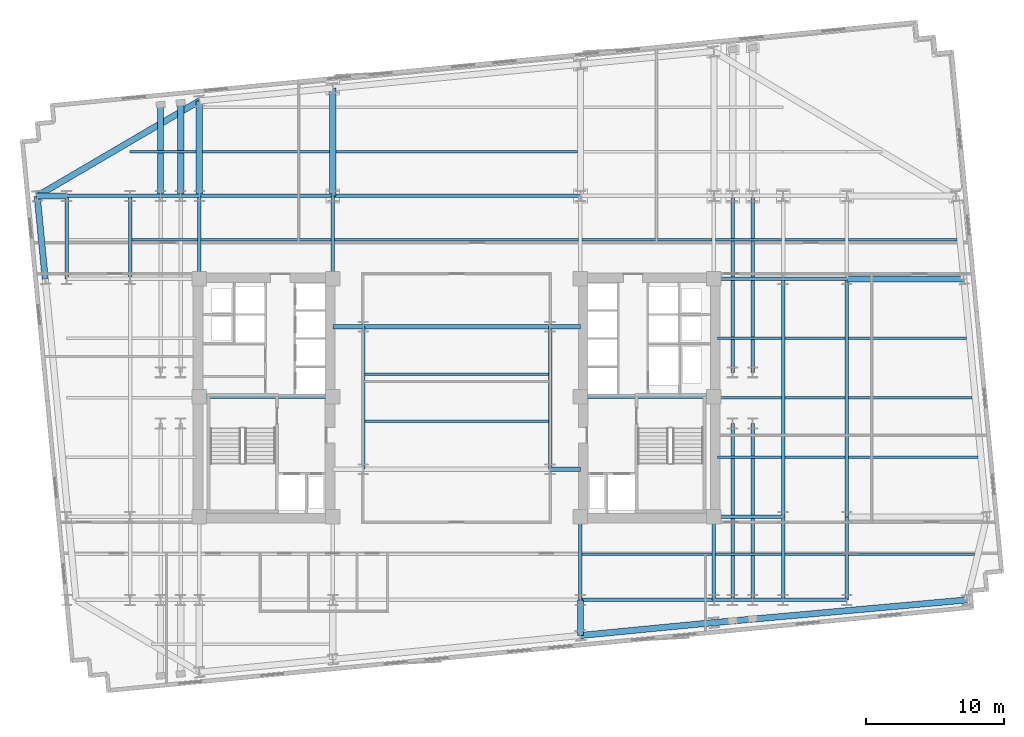
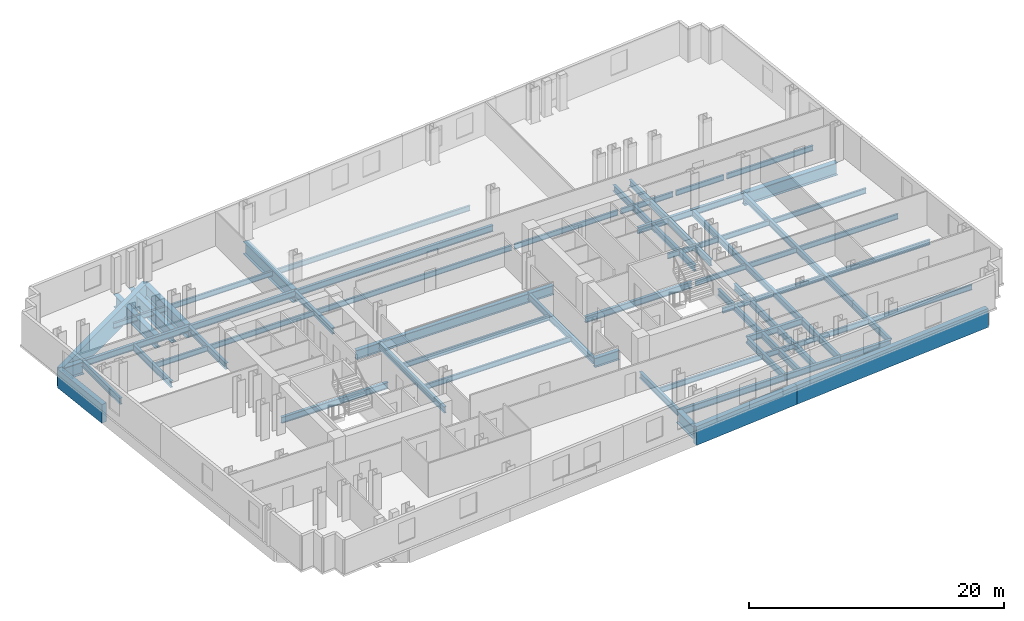
# One storey, part 2 of 10: 68 beams.
"""IFC4 building model written with IfcOpenShell, lengths in metres."""

from ifc_helpers import new_model, si_unit, direction, frame, origin, origin_2d, place, context, subcontext, project, spatial, rectangle, i_section, extrude, material, material_profile, profile_set, type_object, element, save


model = new_model("IFC4")

# Units and contexts
model_context = context("Model", 3, precision=1e-05, world=origin(), true_north=direction((0.0, 1.0)))
body_context = subcontext(model_context, "Body", "Model", "MODEL_VIEW")
ifc_project = project(units=[si_unit("LENGTHUNIT", "METRE"), si_unit("AREAUNIT", "SQUARE_METRE"), si_unit("VOLUMEUNIT", "CUBIC_METRE"), si_unit("PLANEANGLEUNIT", "RADIAN"), si_unit("MASSUNIT", "GRAM", prefix="KILO")], contexts=[model_context])

# Site, building, storey
site_placement = place(None, origin())
site = spatial("IfcSite", under=ifc_project, at=site_placement, CompositionType="ELEMENT")
building_placement = place(site_placement, origin())
building = spatial("IfcBuilding", under=site, at=building_placement, Name="Velakula Bourse", CompositionType="ELEMENT")
storey_placement = place(building_placement, frame((0.0, 0.0, 74.199951171875)))
storey = spatial("IfcBuildingStorey", under=building, at=storey_placement, Name="L19", CompositionType="ELEMENT", Elevation=74.199951171875)

# Beams
ifc_material_1 = material(Name="Steel IS 2062 Grade 350 (E350)", Category="steel")
ifc_material_profile_1 = material_profile(ifc_material_1, i_section(OverallWidth=0.25, OverallDepth=0.60009765625, WebThickness=0.01171875, FlangeThickness=0.023681640625, at=origin_2d()), Name="Steel IS 2062 Grade 350 (E350)")
ifc_profile_set_1 = profile_set([ifc_material_profile_1], Name="Steel IS 2062 Grade 350 (E350)")
beam_type_1 = type_object("IfcBeamType", Name="BM-GRD-600H", PredefinedType="BEAM", material=ifc_profile_set_1)
for number, where, z_axis, x_axis, name in (
    (1, (-18.60009765625, 0.10009765625, -0.47998046875), (1.0, 0.0, 0.0), (0.0, 1.0, 0.0), "L19 Primary Backbone Girder CRW-M"),
    (2, (8.949951171875, 0.10009765625, -0.47998046875), (1.0, 0.0, 0.0), (0.0, 1.0, 0.0), "L19 Primary Backbone Girder CRE-M"),
):
    element("IfcBeam", number, at=place(storey_placement, frame(where, z_axis=z_axis, x_axis=x_axis)), inside=storey, type_object=beam_type_1, Name=name, PredefinedType="BEAM", context=body_context, shape_type="SweptSolid", body=[
        extrude(i_section(OverallWidth=0.25, OverallDepth=0.60009765625, WebThickness=0.01171875, FlangeThickness=0.023681640625, at=origin_2d()), origin(), (0.0, 0.0, 1.0), 9.650146484375),
    ])
for number, where, z_axis, x_axis, name in (
    (3, (-6.75, -5.14990234375, -0.47998046875), (0.0, 1.0, 0.0), (-1.0, 0.0, 0.0), "L19 Primary Backbone Girder SPN-W"),
    (4, (6.75, -5.14990234375, -0.47998046875), (0.0, 1.0, 0.0), (-1.0, 0.0, 0.0), "L19 Primary Backbone Girder SPN-E"),
):
    element("IfcBeam", number, at=place(storey_placement, frame(where, z_axis=z_axis, x_axis=x_axis)), inside=storey, type_object=beam_type_1, Name=name, PredefinedType="BEAM", context=body_context, shape_type="SweptSolid", body=[
        extrude(i_section(OverallWidth=0.25, OverallDepth=0.60009765625, WebThickness=0.01171875, FlangeThickness=0.023681640625, at=origin_2d()), origin(), (0.0, 0.0, 1.0), 10.2998046875),
    ])
for number, where, z_axis, x_axis, name in (
    (5, (-18.60009765625, 8.60009765625, -0.47998046875), (0.0, 1.0, 0.0), (-1.0, 0.0, 0.0), "L19 Fulcrum Grid Girder FLC-WN"),
    (6, (-8.949951171875, 8.60009765625, -0.47998046875), (0.0, 1.0, 0.0), (-1.0, 0.0, 0.0), "L19 Fulcrum Grid Girder FLC-WCN"),
    (7, (8.949951171875, -14.60009765625, -0.47998046875), (0.0, 1.0, 0.0), (-1.0, 0.0, 0.0), "L19 Fulcrum Grid Girder FLC-ECS"),
    (8, (18.60009765625, -14.60009765625, -0.47998046875), (0.0, 1.0, 0.0), (-1.0, 0.0, 0.0), "L19 Fulcrum Grid Girder FLC-ES"),
):
    element("IfcBeam", number, at=place(storey_placement, frame(where, z_axis=z_axis, x_axis=x_axis)), inside=storey, type_object=beam_type_1, Name=name, PredefinedType="BEAM", context=body_context, shape_type="SweptSolid", body=[
        extrude(i_section(OverallWidth=0.25, OverallDepth=0.60009765625, WebThickness=0.01171875, FlangeThickness=0.023681640625, at=origin_2d()), origin(), (0.0, 0.0, 1.0), 6.0),
    ])
for number, where, z_axis, x_axis, name in (
    (9, (8.949951171875, -14.60009765625, -0.47998046875), (1.0, 0.0, 0.0), (0.0, 1.0, 0.0), "L19 Fulcrum Grid Girder FLC-S3"),
    (10, (-18.60009765625, 14.60009765625, -0.47998046875), (1.0, 0.0, 0.0), (0.0, 1.0, 0.0), "L19 Fulcrum Grid Girder FLC-N1"),
):
    element("IfcBeam", number, at=place(storey_placement, frame(where, z_axis=z_axis, x_axis=x_axis)), inside=storey, type_object=beam_type_1, Name=name, PredefinedType="BEAM", context=body_context, shape_type="SweptSolid", body=[
        extrude(i_section(OverallWidth=0.25, OverallDepth=0.60009765625, WebThickness=0.01171875, FlangeThickness=0.023681640625, at=origin_2d()), origin(), (0.0, 0.0, 1.0), 9.650146484375),
    ])
beam_1_placement = place(storey_placement, frame((-8.949951171875, 14.60009765625, -0.47998046875), z_axis=(1.0, 0.0, 0.0), x_axis=(0.0, 1.0, 0.0)))
element("IfcBeam", 11, at=beam_1_placement, inside=storey, type_object=beam_type_1, Name="L19 Fulcrum Grid Girder FLC-N2", PredefinedType="BEAM", context=body_context, shape_type="SweptSolid", body=[
    extrude(i_section(OverallWidth=0.25, OverallDepth=0.60009765625, WebThickness=0.01171875, FlangeThickness=0.023681640625, at=origin_2d()), origin(), (0.0, 0.0, 1.0), 17.89990234375),
])
for number, where, z_axis, x_axis, name in (
    (12, (19.949951171875, -14.60009765625, -0.47998046875), (0.0, 1.0, 0.0), (-1.0, 0.0, 0.0), "L19 Fulcrum Grid Girder FLC-PSE1"),
    (13, (19.949951171875, 1.85009765625, -0.47998046875), (0.0, 1.0, 0.0), (-1.0, 0.0, 0.0), "L19 Fulcrum Grid Girder FLC-PNE1"),
    (14, (21.39990234375, -14.60009765625, -0.47998046875), (0.0, 1.0, 0.0), (-1.0, 0.0, 0.0), "L19 Fulcrum Grid Girder FLC-PSE2"),
    (15, (21.39990234375, 1.85009765625, -0.47998046875), (0.0, 1.0, 0.0), (-1.0, 0.0, 0.0), "L19 Fulcrum Grid Girder FLC-PNE2"),
):
    element("IfcBeam", number, at=place(storey_placement, frame(where, z_axis=z_axis, x_axis=x_axis)), inside=storey, type_object=beam_type_1, Name=name, PredefinedType="BEAM", context=body_context, shape_type="SweptSolid", body=[
        extrude(i_section(OverallWidth=0.25, OverallDepth=0.60009765625, WebThickness=0.01171875, FlangeThickness=0.023681640625, at=origin_2d()), origin(), (0.0, 0.0, 1.0), 12.75),
    ])
beam_2_placement = place(storey_placement, frame((-23.60009765625, 14.60009765625, -0.47998046875), z_axis=(1.0, 0.0, 0.0), x_axis=(0.0, 1.0, 0.0)))
element("IfcBeam", 16, at=beam_2_placement, inside=storey, type_object=beam_type_1, Name="L19 Fulcrum Grid Girder MWG-WN2", PredefinedType="BEAM", context=body_context, shape_type="SweptSolid", body=[
    extrude(i_section(OverallWidth=0.25, OverallDepth=0.60009765625, WebThickness=0.01171875, FlangeThickness=0.023681640625, at=origin_2d()), origin(), (0.0, 0.0, 1.0), 5.0),
])
beam_3_placement = place(storey_placement, frame((-23.60009765625, 8.60009765625, -0.47998046875), z_axis=(0.0, 1.0, 0.0), x_axis=(-1.0, 0.0, 0.0)))
element("IfcBeam", 17, at=beam_3_placement, inside=storey, type_object=beam_type_1, Name="L19 Fulcrum Grid Girder MWG-WNS3", PredefinedType="BEAM", context=body_context, shape_type="SweptSolid", body=[
    extrude(i_section(OverallWidth=0.25, OverallDepth=0.60009765625, WebThickness=0.01171875, FlangeThickness=0.023681640625, at=origin_2d()), origin(), (0.0, 0.0, 1.0), 6.0),
])
for number, where, z_axis, x_axis, name in (
    (18, (18.60009765625, -14.60009765625, -0.47998046875), (1.0, 0.0, 0.0), (0.0, 1.0, 0.0), "L19 Fulcrum Grid Girder MWG-ES1"),
    (19, (18.60009765625, -8.60009765625, -0.47998046875), (1.0, 0.0, 0.0), (0.0, 1.0, 0.0), "L19 Fulcrum Grid Girder MWG-ES2"),
    (20, (18.60009765625, 8.60009765625, -0.47998046875), (1.0, 0.0, 0.0), (0.0, 1.0, 0.0), "L19 Fulcrum Grid Girder MWG-EN1"),
):
    element("IfcBeam", number, at=place(storey_placement, frame(where, z_axis=z_axis, x_axis=x_axis)), inside=storey, type_object=beam_type_1, Name=name, PredefinedType="BEAM", context=body_context, shape_type="SweptSolid", body=[
        extrude(i_section(OverallWidth=0.25, OverallDepth=0.60009765625, WebThickness=0.01171875, FlangeThickness=0.023681640625, at=origin_2d()), origin(), (0.0, 0.0, 1.0), 5.0),
    ])
beam_4_placement = place(storey_placement, frame((23.60009765625, -14.60009765625, -0.47998046875), z_axis=(0.0, 1.0, 0.0), x_axis=(-1.0, 0.0, 0.0)))
element("IfcBeam", 21, at=beam_4_placement, inside=storey, type_object=beam_type_1, Name="L19 Fulcrum Grid Girder MWG-ENS1", PredefinedType="BEAM", context=body_context, shape_type="SweptSolid", body=[
    extrude(i_section(OverallWidth=0.25, OverallDepth=0.60009765625, WebThickness=0.01171875, FlangeThickness=0.023681640625, at=origin_2d()), origin(), (0.0, 0.0, 1.0), 6.0),
])
beam_5_placement = place(storey_placement, frame((23.60009765625, -8.60009765625, -0.47998046875), z_axis=(0.0, 1.0, 0.0), x_axis=(-1.0, 0.0, 0.0)))
element("IfcBeam", 22, at=beam_5_placement, inside=storey, type_object=beam_type_1, Name="L19 Fulcrum Grid Girder MWG-ENS2", PredefinedType="BEAM", context=body_context, shape_type="SweptSolid", body=[
    extrude(i_section(OverallWidth=0.25, OverallDepth=0.60009765625, WebThickness=0.01171875, FlangeThickness=0.023681640625, at=origin_2d()), origin(), (0.0, 0.0, 1.0), 17.2001953125),
])
beam_6_placement = place(storey_placement, frame((-28.199951171875, 14.60009765625, -0.47998046875), z_axis=(1.0, 0.0, 0.0), x_axis=(0.0, 1.0, 0.0)))
element("IfcBeam", 23, at=beam_6_placement, inside=storey, type_object=beam_type_1, Name="L19 Fulcrum Grid Girder WNG-WN2", PredefinedType="BEAM", context=body_context, shape_type="SweptSolid", body=[
    extrude(i_section(OverallWidth=0.25, OverallDepth=0.60009765625, WebThickness=0.01171875, FlangeThickness=0.023681640625, at=origin_2d()), origin(), (0.0, 0.0, 1.0), 4.599853515625),
])
beam_7_placement = place(storey_placement, frame((-28.199951171875, 8.60009765625, -0.47998046875), z_axis=(0.0, 1.0, 0.0), x_axis=(-1.0, 0.0, 0.0)))
element("IfcBeam", 24, at=beam_7_placement, inside=storey, type_object=beam_type_1, Name="L19 Fulcrum Grid Girder WNG-WNS3", PredefinedType="BEAM", context=body_context, shape_type="SweptSolid", body=[
    extrude(i_section(OverallWidth=0.25, OverallDepth=0.60009765625, WebThickness=0.01171875, FlangeThickness=0.023681640625, at=origin_2d()), origin(), (0.0, 0.0, 1.0), 6.0),
])
for number, where, z_axis, x_axis, name in (
    (25, (23.60009765625, -14.60009765625, -0.47998046875), (1.0, 0.0, 0.0), (0.0, 1.0, 0.0), "L19 Fulcrum Grid Girder WNG-ES1"),
    (26, (23.60009765625, 8.60009765625, -0.47998046875), (1.0, 0.0, 0.0), (0.0, 1.0, 0.0), "L19 Fulcrum Grid Girder WNG-EN1"),
):
    element("IfcBeam", number, at=place(storey_placement, frame(where, z_axis=z_axis, x_axis=x_axis)), inside=storey, type_object=beam_type_1, Name=name, PredefinedType="BEAM", context=body_context, shape_type="SweptSolid", body=[
        extrude(i_section(OverallWidth=0.25, OverallDepth=0.60009765625, WebThickness=0.01171875, FlangeThickness=0.023681640625, at=origin_2d()), origin(), (0.0, 0.0, 1.0), 4.599853515625),
    ])
beam_8_placement = place(storey_placement, frame((28.199951171875, -14.60009765625, -0.47998046875), z_axis=(0.0, 1.0, 0.0), x_axis=(-1.0, 0.0, 0.0)))
element("IfcBeam", 27, at=beam_8_placement, inside=storey, type_object=beam_type_1, Name="L19 Fulcrum Grid Girder WNG-ENS1", PredefinedType="BEAM", context=body_context, shape_type="SweptSolid", body=[
    extrude(i_section(OverallWidth=0.25, OverallDepth=0.60009765625, WebThickness=0.01171875, FlangeThickness=0.023681640625, at=origin_2d()), origin(), (0.0, 0.0, 1.0), 6.0),
])
beam_9_placement = place(storey_placement, frame((28.199951171875, -8.60009765625, -0.47998046875), z_axis=(0.0, 1.0, 0.0), x_axis=(-1.0, 0.0, 0.0)))
element("IfcBeam", 28, at=beam_9_placement, inside=storey, type_object=beam_type_1, Name="L19 Fulcrum Grid Girder WNG-ENS2", PredefinedType="BEAM", context=body_context, shape_type="SweptSolid", body=[
    extrude(i_section(OverallWidth=0.25, OverallDepth=0.60009765625, WebThickness=0.01171875, FlangeThickness=0.023681640625, at=origin_2d()), origin(), (0.0, 0.0, 1.0), 17.2001953125),
])
ifc_material_profile_2 = material_profile(ifc_material_1, i_section(OverallWidth=0.35009765625, OverallDepth=0.89990234375, WebThickness=0.02001953125, FlangeThickness=0.031982421875, at=origin_2d()), Name="Steel IS 2062 Grade 350 (E350)")
ifc_profile_set_2 = profile_set([ifc_material_profile_2], Name="Steel IS 2062 Grade 350 (E350)")
beam_type_2 = type_object("IfcBeamType", Name="BM-LNK-900", PredefinedType="BEAM", material=ifc_profile_set_2)
for number, where, z_axis, x_axis, name in (
    (29, (6.75, -5.14990234375, -0.6298828125), (1.0, 0.0, 0.0), (0.0, 1.0, 0.0), "L19 Primary Backbone Girder LNK-S3"),
    (30, (-8.949951171875, 5.14990234375, -0.6298828125), (1.0, 0.0, 0.0), (0.0, 1.0, 0.0), "L19 Primary Backbone Girder LNK-N1"),
):
    element("IfcBeam", number, at=place(storey_placement, frame(where, z_axis=z_axis, x_axis=x_axis)), inside=storey, type_object=beam_type_2, Name=name, PredefinedType="BEAM", context=body_context, shape_type="SweptSolid", body=[
        extrude(i_section(OverallWidth=0.35009765625, OverallDepth=0.89990234375, WebThickness=0.02001953125, FlangeThickness=0.031982421875, at=origin_2d()), origin(), (0.0, 0.0, 1.0), 2.199951171875),
    ])
beam_10_placement = place(storey_placement, frame((-6.75, 5.14990234375, -0.6298828125), z_axis=(1.0, 0.0, 0.0), x_axis=(0.0, 1.0, 0.0)))
element("IfcBeam", 31, at=beam_10_placement, inside=storey, type_object=beam_type_2, Name="L19 Primary Backbone Girder LNK-N2", PredefinedType="BEAM", context=body_context, shape_type="SweptSolid", body=[
    extrude(i_section(OverallWidth=0.35009765625, OverallDepth=0.89990234375, WebThickness=0.02001953125, FlangeThickness=0.031982421875, at=origin_2d()), origin(), (0.0, 0.0, 1.0), 13.5),
])
beam_11_placement = place(storey_placement, frame((6.75, 5.14990234375, -0.6298828125), z_axis=(1.0, 0.0, 0.0), x_axis=(0.0, 1.0, 0.0)))
element("IfcBeam", 32, at=beam_11_placement, inside=storey, type_object=beam_type_2, Name="L19 Primary Backbone Girder LNK-N3", PredefinedType="BEAM", context=body_context, shape_type="SweptSolid", body=[
    extrude(i_section(OverallWidth=0.35009765625, OverallDepth=0.89990234375, WebThickness=0.02001953125, FlangeThickness=0.031982421875, at=origin_2d()), origin(), (0.0, 0.0, 1.0), 2.199951171875),
])
ifc_material_profile_3 = material_profile(ifc_material_1, i_section(OverallWidth=0.179931640625, OverallDepth=0.5, WebThickness=0.01025390625, FlangeThickness=0.01708984375, at=origin_2d()), Name="Steel IS 2062 Grade 350 (E350)")
ifc_profile_set_3 = profile_set([ifc_material_profile_3], Name="Steel IS 2062 Grade 350 (E350)")
beam_type_3 = type_object("IfcBeamType", Name="JST-TWR-500", PredefinedType="JOIST", material=ifc_profile_set_3)
beam_12_placement = place(storey_placement, frame((9.074951171875, -11.300048828125, -0.429931640625), z_axis=(1.0, 0.0, 0.0), x_axis=(0.0, 1.0, 0.0)))
element("IfcBeam", 33, at=beam_12_placement, inside=storey, type_object=beam_type_3, Name="L19 Trading Floor Composite Joist 08", PredefinedType="JOIST", context=body_context, shape_type="SweptSolid", body=[
    extrude(i_section(OverallWidth=0.179931640625, OverallDepth=0.5, WebThickness=0.01025390625, FlangeThickness=0.01708984375, at=origin_2d()), origin(), (0.0, 0.0, 1.0), 9.400146484375),
])
beam_13_placement = place(storey_placement, frame((18.72509765625, -11.300048828125, -0.429931640625), z_axis=(1.0, 0.0, 0.0), x_axis=(0.0, 1.0, 0.0)))
element("IfcBeam", 34, at=beam_13_placement, inside=storey, type_object=beam_type_3, Name="L19 Trading Floor Composite Joist 09", PredefinedType="JOIST", context=body_context, shape_type="SweptSolid", body=[
    extrude(i_section(OverallWidth=0.179931640625, OverallDepth=0.5, WebThickness=0.01025390625, FlangeThickness=0.01708984375, at=origin_2d()), origin(), (0.0, 0.0, 1.0), 4.75),
])
beam_14_placement = place(storey_placement, frame((23.72509765625, -11.300048828125, -0.429931640625), z_axis=(1.0, 0.0, 0.0), x_axis=(0.0, 1.0, 0.0)))
element("IfcBeam", 35, at=beam_14_placement, inside=storey, type_object=beam_type_3, Name="L19 Trading Floor Composite Joist 10", PredefinedType="JOIST", context=body_context, shape_type="SweptSolid", body=[
    extrude(i_section(OverallWidth=0.179931640625, OverallDepth=0.5, WebThickness=0.01025390625, FlangeThickness=0.01708984375, at=origin_2d()), origin(), (0.0, 0.0, 1.0), 4.349853515625),
])
beam_15_placement = place(storey_placement, frame((28.324951171875, -11.300048828125, -0.429931640625), z_axis=(1.0, 0.0, 0.0), x_axis=(0.0, 1.0, 0.0)))
element("IfcBeam", 36, at=beam_15_placement, inside=storey, type_object=beam_type_3, Name="L19 Trading Floor Composite Joist 11", PredefinedType="JOIST", context=body_context, shape_type="SweptSolid", body=[
    extrude(i_section(OverallWidth=0.179931640625, OverallDepth=0.5, WebThickness=0.01025390625, FlangeThickness=0.01708984375, at=origin_2d()), origin(), (0.0, 0.0, 1.0), 9.119384765625),
])
beam_16_placement = place(storey_placement, frame((-23.47509765625, 11.449951171875, -0.429931640625), z_axis=(1.0, 0.0, 0.0), x_axis=(0.0, 1.0, 0.0)))
element("IfcBeam", 37, at=beam_16_placement, inside=storey, type_object=beam_type_3, Name="L19 Trading Floor Composite Joist 13", PredefinedType="JOIST", context=body_context, shape_type="SweptSolid", body=[
    extrude(i_section(OverallWidth=0.179931640625, OverallDepth=0.5, WebThickness=0.01025390625, FlangeThickness=0.01708984375, at=origin_2d()), origin(), (0.0, 0.0, 1.0), 4.75),
])
beam_17_placement = place(storey_placement, frame((-18.47509765625, 11.449951171875, -0.429931640625), z_axis=(1.0, 0.0, 0.0), x_axis=(0.0, 1.0, 0.0)))
element("IfcBeam", 38, at=beam_17_placement, inside=storey, type_object=beam_type_3, Name="L19 Trading Floor Composite Joist 14", PredefinedType="JOIST", context=body_context, shape_type="SweptSolid", body=[
    extrude(i_section(OverallWidth=0.179931640625, OverallDepth=0.5, WebThickness=0.01025390625, FlangeThickness=0.01708984375, at=origin_2d()), origin(), (0.0, 0.0, 1.0), 9.400146484375),
])
beam_18_placement = place(storey_placement, frame((-8.824951171875, 11.449951171875, -0.429931640625), z_axis=(1.0, 0.0, 0.0), x_axis=(0.0, 1.0, 0.0)))
element("IfcBeam", 39, at=beam_18_placement, inside=storey, type_object=beam_type_3, Name="L19 Trading Floor Composite Joist 15", PredefinedType="JOIST", context=body_context, shape_type="SweptSolid", body=[
    extrude(i_section(OverallWidth=0.179931640625, OverallDepth=0.5, WebThickness=0.01025390625, FlangeThickness=0.01708984375, at=origin_2d()), origin(), (0.0, 0.0, 1.0), 17.64990234375),
])
beam_19_placement = place(storey_placement, frame((9.074951171875, 11.449951171875, -0.429931640625), z_axis=(1.0, 0.0, 0.0), x_axis=(0.0, 1.0, 0.0)))
element("IfcBeam", 40, at=beam_19_placement, inside=storey, type_object=beam_type_3, Name="L19 Trading Floor Composite Joist 16", PredefinedType="JOIST", context=body_context, shape_type="SweptSolid", body=[
    extrude(i_section(OverallWidth=0.179931640625, OverallDepth=0.5, WebThickness=0.01025390625, FlangeThickness=0.01708984375, at=origin_2d()), origin(), (0.0, 0.0, 1.0), 9.400146484375),
])
beam_20_placement = place(storey_placement, frame((18.72509765625, 11.449951171875, -0.429931640625), z_axis=(1.0, 0.0, 0.0), x_axis=(0.0, 1.0, 0.0)))
element("IfcBeam", 41, at=beam_20_placement, inside=storey, type_object=beam_type_3, Name="L19 Trading Floor Composite Joist 17", PredefinedType="JOIST", context=body_context, shape_type="SweptSolid", body=[
    extrude(i_section(OverallWidth=0.179931640625, OverallDepth=0.5, WebThickness=0.01025390625, FlangeThickness=0.01708984375, at=origin_2d()), origin(), (0.0, 0.0, 1.0), 4.75),
])
beam_21_placement = place(storey_placement, frame((23.72509765625, 11.449951171875, -0.429931640625), z_axis=(1.0, 0.0, 0.0), x_axis=(0.0, 1.0, 0.0)))
element("IfcBeam", 42, at=beam_21_placement, inside=storey, type_object=beam_type_3, Name="L19 Trading Floor Composite Joist 18", PredefinedType="JOIST", context=body_context, shape_type="SweptSolid", body=[
    extrude(i_section(OverallWidth=0.179931640625, OverallDepth=0.5, WebThickness=0.01025390625, FlangeThickness=0.01708984375, at=origin_2d()), origin(), (0.0, 0.0, 1.0), 4.349853515625),
])
beam_22_placement = place(storey_placement, frame((28.324951171875, 11.449951171875, -0.429931640625), z_axis=(1.0, 0.0, 0.0), x_axis=(0.0, 1.0, 0.0)))
element("IfcBeam", 43, at=beam_22_placement, inside=storey, type_object=beam_type_3, Name="L19 Trading Floor Composite Joist 19", PredefinedType="JOIST", context=body_context, shape_type="SweptSolid", body=[
    extrude(i_section(OverallWidth=0.179931640625, OverallDepth=0.5, WebThickness=0.01025390625, FlangeThickness=0.01708984375, at=origin_2d()), origin(), (0.0, 0.0, 1.0), 7.838134765625),
])
beam_23_placement = place(storey_placement, frame((-23.60009765625, 17.800048828125, -0.429931640625), z_axis=(1.0, 0.0, 0.0), x_axis=(0.0, 1.0, 0.0)))
element("IfcBeam", 44, at=beam_23_placement, inside=storey, type_object=beam_type_3, Name="L19 Trading Floor Composite Joist 20", PredefinedType="JOIST", context=body_context, shape_type="SweptSolid", body=[
    extrude(i_section(OverallWidth=0.179931640625, OverallDepth=0.5, WebThickness=0.01025390625, FlangeThickness=0.01708984375, at=origin_2d()), origin(), (0.0, 0.0, 1.0), 4.775146484375),
])
beam_24_placement = place(storey_placement, frame((-18.375, 17.800048828125, -0.429931640625), z_axis=(1.0, 0.0, 0.0), x_axis=(0.0, 1.0, 0.0)))
element("IfcBeam", 45, at=beam_24_placement, inside=storey, type_object=beam_type_3, Name="L19 Trading Floor Composite Joist 21", PredefinedType="JOIST", context=body_context, shape_type="SweptSolid", body=[
    extrude(i_section(OverallWidth=0.179931640625, OverallDepth=0.5, WebThickness=0.01025390625, FlangeThickness=0.01708984375, at=origin_2d()), origin(), (0.0, 0.0, 1.0), 9.199951171875),
])
beam_25_placement = place(storey_placement, frame((-8.72509765625, 17.800048828125, -0.429931640625), z_axis=(1.0, 0.0, 0.0), x_axis=(0.0, 1.0, 0.0)))
element("IfcBeam", 46, at=beam_25_placement, inside=storey, type_object=beam_type_3, Name="L19 Trading Floor Composite Joist 22", PredefinedType="JOIST", context=body_context, shape_type="SweptSolid", body=[
    extrude(i_section(OverallWidth=0.179931640625, OverallDepth=0.5, WebThickness=0.01025390625, FlangeThickness=0.01708984375, at=origin_2d()), origin(), (0.0, 0.0, 1.0), 17.4501953125),
])
for number, where, z_axis, x_axis, name in (
    (47, (-6.625, -1.699951171875, -0.429931640625), (1.0, 0.0, 0.0), (0.0, 1.0, 0.0), "L19 Trading Floor Composite Joist 31"),
    (48, (-6.625, 1.699951171875, -0.429931640625), (1.0, 0.0, 0.0), (0.0, 1.0, 0.0), "L19 Trading Floor Composite Joist 32"),
):
    element("IfcBeam", number, at=place(storey_placement, frame(where, z_axis=z_axis, x_axis=x_axis)), inside=storey, type_object=beam_type_3, Name=name, PredefinedType="JOIST", context=body_context, shape_type="SweptSolid", body=[
        extrude(i_section(OverallWidth=0.179931640625, OverallDepth=0.5, WebThickness=0.01025390625, FlangeThickness=0.01708984375, at=origin_2d()), origin(), (0.0, 0.0, 1.0), 13.25),
    ])
beam_26_placement = place(storey_placement, frame((18.85009765625, -4.300048828125, -0.429931640625), z_axis=(1.0, 0.0, 0.0), x_axis=(0.0, 1.0, 0.0)))
element("IfcBeam", 49, at=beam_26_placement, inside=storey, type_object=beam_type_3, Name="L19 Trading Floor Composite Joist 35", PredefinedType="JOIST", context=body_context, shape_type="SweptSolid", body=[
    extrude(i_section(OverallWidth=0.179931640625, OverallDepth=0.5, WebThickness=0.01025390625, FlangeThickness=0.01708984375, at=origin_2d()), origin(), (0.0, 0.0, 1.0), 4.625),
])
beam_27_placement = place(storey_placement, frame((23.72509765625, -4.300048828125, -0.429931640625), z_axis=(1.0, 0.0, 0.0), x_axis=(0.0, 1.0, 0.0)))
element("IfcBeam", 50, at=beam_27_placement, inside=storey, type_object=beam_type_3, Name="L19 Trading Floor Composite Joist 36", PredefinedType="JOIST", context=body_context, shape_type="SweptSolid", body=[
    extrude(i_section(OverallWidth=0.179931640625, OverallDepth=0.5, WebThickness=0.01025390625, FlangeThickness=0.01708984375, at=origin_2d()), origin(), (0.0, 0.0, 1.0), 4.349853515625),
])
beam_28_placement = place(storey_placement, frame((28.324951171875, -4.300048828125, -0.429931640625), z_axis=(1.0, 0.0, 0.0), x_axis=(0.0, 1.0, 0.0)))
element("IfcBeam", 51, at=beam_28_placement, inside=storey, type_object=beam_type_3, Name="L19 Trading Floor Composite Joist 37", PredefinedType="JOIST", context=body_context, shape_type="SweptSolid", body=[
    extrude(i_section(OverallWidth=0.179931640625, OverallDepth=0.5, WebThickness=0.01025390625, FlangeThickness=0.01708984375, at=origin_2d()), origin(), (0.0, 0.0, 1.0), 9.354736328125),
])
beam_29_placement = place(storey_placement, frame((18.85009765625, 0.0, -0.429931640625), z_axis=(1.0, 0.0, 0.0), x_axis=(0.0, 1.0, 0.0)))
element("IfcBeam", 52, at=beam_29_placement, inside=storey, type_object=beam_type_3, Name="L19 Trading Floor Composite Joist 40", PredefinedType="JOIST", context=body_context, shape_type="SweptSolid", body=[
    extrude(i_section(OverallWidth=0.179931640625, OverallDepth=0.5, WebThickness=0.01025390625, FlangeThickness=0.01708984375, at=origin_2d()), origin(), (0.0, 0.0, 1.0), 4.625),
])
beam_30_placement = place(storey_placement, frame((23.72509765625, 0.0, -0.429931640625), z_axis=(1.0, 0.0, 0.0), x_axis=(0.0, 1.0, 0.0)))
element("IfcBeam", 53, at=beam_30_placement, inside=storey, type_object=beam_type_3, Name="L19 Trading Floor Composite Joist 41", PredefinedType="JOIST", context=body_context, shape_type="SweptSolid", body=[
    extrude(i_section(OverallWidth=0.179931640625, OverallDepth=0.5, WebThickness=0.01025390625, FlangeThickness=0.01708984375, at=origin_2d()), origin(), (0.0, 0.0, 1.0), 4.349853515625),
])
beam_31_placement = place(storey_placement, frame((28.324951171875, 0.0, -0.429931640625), z_axis=(1.0, 0.0, 0.0), x_axis=(0.0, 1.0, 0.0)))
element("IfcBeam", 54, at=beam_31_placement, inside=storey, type_object=beam_type_3, Name="L19 Trading Floor Composite Joist 42", PredefinedType="JOIST", context=body_context, shape_type="SweptSolid", body=[
    extrude(i_section(OverallWidth=0.179931640625, OverallDepth=0.5, WebThickness=0.01025390625, FlangeThickness=0.01708984375, at=origin_2d()), origin(), (0.0, 0.0, 1.0), 8.940673828125),
])
beam_32_placement = place(storey_placement, frame((18.85009765625, 4.300048828125, -0.429931640625), z_axis=(1.0, 0.0, 0.0), x_axis=(0.0, 1.0, 0.0)))
element("IfcBeam", 55, at=beam_32_placement, inside=storey, type_object=beam_type_3, Name="L19 Trading Floor Composite Joist 45", PredefinedType="JOIST", context=body_context, shape_type="SweptSolid", body=[
    extrude(i_section(OverallWidth=0.179931640625, OverallDepth=0.5, WebThickness=0.01025390625, FlangeThickness=0.01708984375, at=origin_2d()), origin(), (0.0, 0.0, 1.0), 4.625),
])
beam_33_placement = place(storey_placement, frame((23.72509765625, 4.300048828125, -0.429931640625), z_axis=(1.0, 0.0, 0.0), x_axis=(0.0, 1.0, 0.0)))
element("IfcBeam", 56, at=beam_33_placement, inside=storey, type_object=beam_type_3, Name="L19 Trading Floor Composite Joist 46", PredefinedType="JOIST", context=body_context, shape_type="SweptSolid", body=[
    extrude(i_section(OverallWidth=0.179931640625, OverallDepth=0.5, WebThickness=0.01025390625, FlangeThickness=0.01708984375, at=origin_2d()), origin(), (0.0, 0.0, 1.0), 4.349853515625),
])
beam_34_placement = place(storey_placement, frame((28.324951171875, 4.300048828125, -0.429931640625), z_axis=(1.0, 0.0, 0.0), x_axis=(0.0, 1.0, 0.0)))
element("IfcBeam", 57, at=beam_34_placement, inside=storey, type_object=beam_type_3, Name="L19 Trading Floor Composite Joist 47", PredefinedType="JOIST", context=body_context, shape_type="SweptSolid", body=[
    extrude(i_section(OverallWidth=0.179931640625, OverallDepth=0.5, WebThickness=0.01025390625, FlangeThickness=0.01708984375, at=origin_2d()), origin(), (0.0, 0.0, 1.0), 8.526611328125),
])
ifc_material_2 = material(Name="Concrete M50 (fck 50 MPa)", Category="concrete")
ifc_material_profile_4 = material_profile(ifc_material_2, rectangle(XDim=0.449951171875, YDim=1.800048828125, at=origin_2d()), Name="Concrete M50 (fck 50 MPa)")
ifc_profile_set_4 = profile_set([ifc_material_profile_4], Name="Concrete M50 (fck 50 MPa)")
beam_type_4 = type_object("IfcBeamType", Name="SPN-TRF-1800", PredefinedType="SPANDREL", material=ifc_profile_set_4)
beam_35_placement = place(storey_placement, frame((8.949951171875, -17.16845703125, -1.079833984375), z_axis=(0.99539623971, 0.095845323155, 0.0), x_axis=(-0.095845323155, 0.99539623971, 0.0)))
element("IfcBeam", 58, at=beam_35_placement, inside=storey, type_object=beam_type_4, Name="L19 Brick-Faced Precast Spandrel S3-S4", PredefinedType="SPANDREL", context=body_context, shape_type="SweptSolid", body=[
    extrude(rectangle(XDim=0.449951171875, YDim=1.800048828125, at=origin_2d()), origin(), (0.0, 0.0, 1.0), 9.69482421875),
])
beam_36_placement = place(storey_placement, frame((-29.7421875, 8.60009765625, -1.079833984375), z_axis=(-0.095829714309, 0.995397742541, 0.0), x_axis=(-0.995397742541, -0.095829714309, 0.0)))
element("IfcBeam", 59, at=beam_36_placement, inside=storey, type_object=beam_type_4, Name="L19 Brick-Faced Precast Spandrel W3-W4", PredefinedType="SPANDREL", context=body_context, shape_type="SweptSolid", body=[
    extrude(rectangle(XDim=0.449951171875, YDim=1.800048828125, at=origin_2d()), origin(), (0.0, 0.0, 1.0), 6.02783203125),
])
beam_37_placement = place(storey_placement, frame((18.60009765625, -16.2392578125, -1.079833984375), z_axis=(0.99600727708, 0.089272078527, 0.0), x_axis=(-0.089272078527, 0.99600727708, 0.0)))
element("IfcBeam", 60, at=beam_37_placement, inside=storey, type_object=beam_type_4, Name="L19 Brick-Faced Precast Spandrel S4-E1", PredefinedType="SPANDREL", context=body_context, shape_type="SweptSolid", body=[
    extrude(rectangle(XDim=0.449951171875, YDim=1.800048828125, at=origin_2d()), origin(), (0.0, 0.0, 1.0), 18.361328125),
])
beam_38_placement = place(storey_placement, frame((-18.60009765625, 21.468994140625, -1.079833984375), z_axis=(-0.862739335169, -0.505648929151, 0.0), x_axis=(0.505648929151, -0.862739335169, 0.0)))
element("IfcBeam", 61, at=beam_38_placement, inside=storey, type_object=beam_type_4, Name="L19 Brick-Faced Precast Spandrel N1-W4", PredefinedType="SPANDREL", context=body_context, shape_type="SweptSolid", body=[
    extrude(rectangle(XDim=0.449951171875, YDim=1.800048828125, at=origin_2d()), origin(), (0.0, 0.0, 1.0), 13.584228515625),
])
ifc_material_3 = material(Name="Steel IS 2062 Grade 450 (E450)", Category="steel")
ifc_material_profile_5 = material_profile(ifc_material_3, i_section(OverallWidth=0.449951171875, OverallDepth=1.199951171875, WebThickness=0.02587890625, FlangeThickness=0.0400390625, at=origin_2d()), Name="Steel IS 2062 Grade 450 (E450)")
ifc_profile_set_5 = profile_set([ifc_material_profile_5], Name="Steel IS 2062 Grade 450 (E450)")
beam_type_5 = type_object("IfcBeamType", Name="TB-CANT-1200", PredefinedType="BEAM", material=ifc_profile_set_5)
beam_39_placement = place(storey_placement, frame((8.949951171875, -14.60009765625, -0.780029296875), z_axis=(0.0, -1.0, 0.0), x_axis=(1.0, 0.0, 0.0)))
element("IfcBeam", 62, at=beam_39_placement, inside=storey, type_object=beam_type_5, Name="L19 Perimeter Tie Girder S3", PredefinedType="BEAM", context=body_context, shape_type="SweptSolid", body=[
    extrude(i_section(OverallWidth=0.449951171875, OverallDepth=1.199951171875, WebThickness=0.02587890625, FlangeThickness=0.0400390625, at=origin_2d()), origin(), (0.0, 0.0, 1.0), 2.568359375),
])
beam_40_placement = place(storey_placement, frame((-18.60009765625, 14.60009765625, -0.780029296875), z_axis=(0.0, 1.0, 0.0), x_axis=(-1.0, 0.0, 0.0)))
element("IfcBeam", 63, at=beam_40_placement, inside=storey, type_object=beam_type_5, Name="L19 Perimeter Tie Girder N1", PredefinedType="BEAM", context=body_context, shape_type="SweptSolid", body=[
    extrude(i_section(OverallWidth=0.449951171875, OverallDepth=1.199951171875, WebThickness=0.02587890625, FlangeThickness=0.0400390625, at=origin_2d()), origin(), (0.0, 0.0, 1.0), 6.868896484375),
])
beam_41_placement = place(storey_placement, frame((-8.949951171875, 14.60009765625, -0.780029296875), z_axis=(0.0, 1.0, 0.0), x_axis=(-1.0, 0.0, 0.0)))
element("IfcBeam", 64, at=beam_41_placement, inside=storey, type_object=beam_type_5, Name="L19 Perimeter Tie Girder N2", PredefinedType="BEAM", context=body_context, shape_type="SweptSolid", body=[
    extrude(i_section(OverallWidth=0.449951171875, OverallDepth=1.199951171875, WebThickness=0.02587890625, FlangeThickness=0.0400390625, at=origin_2d()), origin(), (0.0, 0.0, 1.0), 7.798095703125),
])
beam_42_placement = place(storey_placement, frame((-28.199951171875, 14.60009765625, -0.780029296875), z_axis=(-1.0, 0.0, 0.0), x_axis=(0.0, -1.0, 0.0)))
element("IfcBeam", 65, at=beam_42_placement, inside=storey, type_object=beam_type_5, Name="L19 Perimeter Tie Girder W4", PredefinedType="BEAM", context=body_context, shape_type="SweptSolid", body=[
    extrude(i_section(OverallWidth=0.449951171875, OverallDepth=1.199951171875, WebThickness=0.02587890625, FlangeThickness=0.0400390625, at=origin_2d()), origin(), (0.0, 0.0, 1.0), 2.119873046875),
])
beam_43_placement = place(storey_placement, frame((28.199951171875, 8.60009765625, -0.780029296875), z_axis=(1.0, 0.0, 0.0), x_axis=(0.0, 1.0, 0.0)))
element("IfcBeam", 66, at=beam_43_placement, inside=storey, type_object=beam_type_5, Name="L19 Perimeter Tie Girder E3", PredefinedType="BEAM", context=body_context, shape_type="SweptSolid", body=[
    extrude(i_section(OverallWidth=0.449951171875, OverallDepth=1.199951171875, WebThickness=0.02587890625, FlangeThickness=0.0400390625, at=origin_2d()), origin(), (0.0, 0.0, 1.0), 8.463623046875),
])
beam_44_placement = place(storey_placement, frame((-21.39990234375, 14.60009765625, -0.780029296875), z_axis=(0.0, 1.0, 0.0), x_axis=(-1.0, 0.0, 0.0)))
element("IfcBeam", 67, at=beam_44_placement, inside=storey, type_object=beam_type_5, Name="L19 Perimeter Tie Girder P05", PredefinedType="BEAM", context=body_context, shape_type="SweptSolid", body=[
    extrude(i_section(OverallWidth=0.449951171875, OverallDepth=1.199951171875, WebThickness=0.02587890625, FlangeThickness=0.0400390625, at=origin_2d()), origin(), (0.0, 0.0, 1.0), 6.59912109375),
])
beam_45_placement = place(storey_placement, frame((-19.949951171875, 14.60009765625, -0.780029296875), z_axis=(0.0, 1.0, 0.0), x_axis=(-1.0, 0.0, 0.0)))
element("IfcBeam", 68, at=beam_45_placement, inside=storey, type_object=beam_type_5, Name="L19 Perimeter Tie Girder P06", PredefinedType="BEAM", context=body_context, shape_type="SweptSolid", body=[
    extrude(i_section(OverallWidth=0.449951171875, OverallDepth=1.199951171875, WebThickness=0.02587890625, FlangeThickness=0.0400390625, at=origin_2d()), origin(), (0.0, 0.0, 1.0), 6.73876953125),
])

save(model, "model.ifc")
